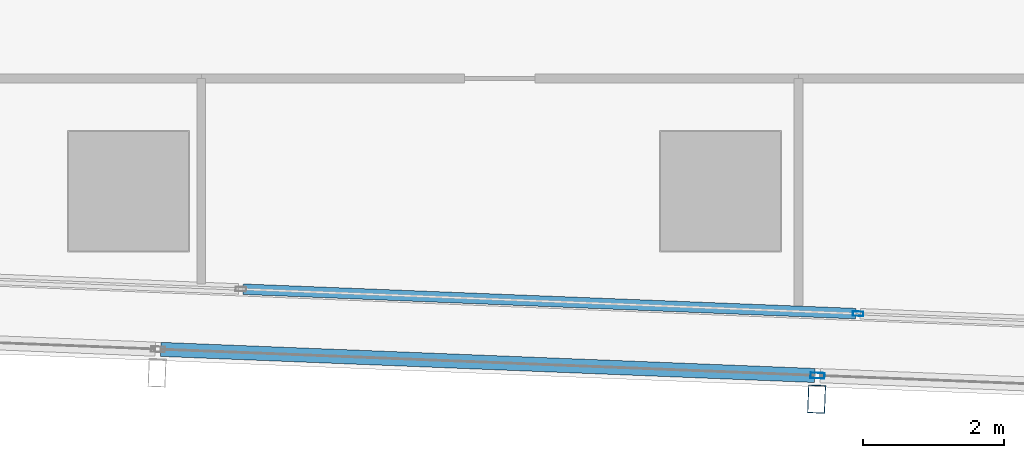
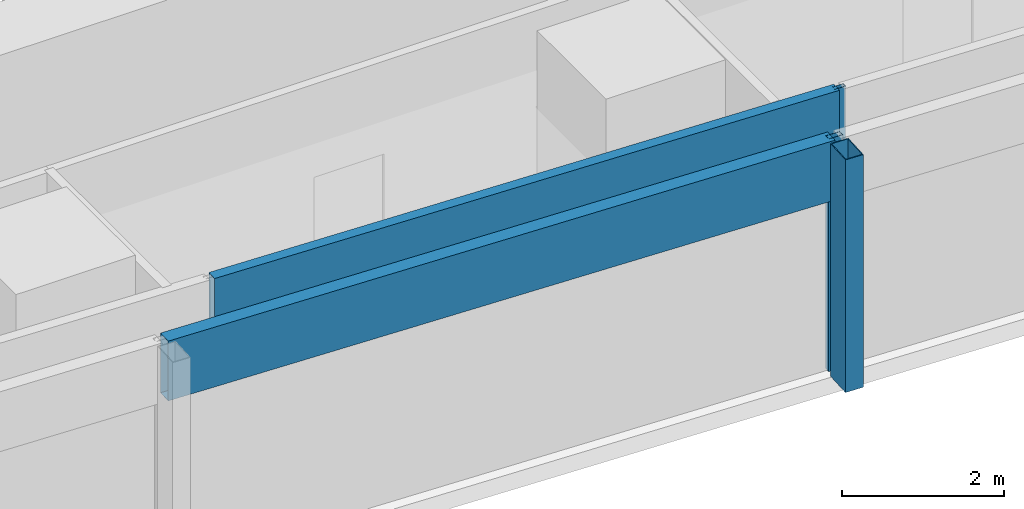
# One storey, part 7 of 39: 5 members, 2 elements without a shape of their own.
"""IFC4 building model written with IfcOpenShell, lengths in metres."""

from ifc_helpers import new_model, si_unit, direction, frame, origin, origin_2d, place, context, subcontext, project, spatial, hollow_rectangle, extrude, material, material_profile, profile_set, type_object, element, aggregate, save


model = new_model("IFC4")

# Units and contexts
model_context = context("Model", 3, precision=1e-05, world=origin(), true_north=direction((0.0, 1.0)))
body_context = subcontext(model_context, "Body", "Model", "MODEL_VIEW")
ifc_project = project(units=[si_unit("LENGTHUNIT", "METRE"), si_unit("AREAUNIT", "SQUARE_METRE"), si_unit("VOLUMEUNIT", "CUBIC_METRE"), si_unit("PLANEANGLEUNIT", "RADIAN"), si_unit("MASSUNIT", "GRAM", prefix="KILO")], contexts=[model_context])

# Site, building, storey
site_placement = place(None, origin())
site = spatial("IfcSite", under=ifc_project, at=site_placement, CompositionType="ELEMENT")
building_placement = place(site_placement, origin())
building = spatial("IfcBuilding", under=site, at=building_placement, Name="Rekha Terrace Tower", CompositionType="ELEMENT")
storey_placement = place(building_placement, frame((0.0, 0.0, 180.199951171875)))
storey = spatial("IfcBuildingStorey", under=building, at=storey_placement, Name="L45", CompositionType="ELEMENT", Elevation=180.199951171875)

# Curtain wall, member
ifc_material_1 = material(Name="Aluminium framing", Category="aluminium")
curtain_wall_type_1 = type_object("IfcCurtainWallType", Name="CW2 double skin outer glazing", PredefinedType="USERDEFINED", material=ifc_material_1)
curtain_wall_1_placement = place(storey_placement, origin())
curtain_wall_1 = element("IfcCurtainWall", 1, at=curtain_wall_1_placement, inside=storey, type_object=curtain_wall_type_1, Name="CW2 double skin outer glazing", ObjectType="DOUBLE SKIN OUTER GLAZING", PredefinedType="USERDEFINED")
ifc_material_2 = material(Name="Steel S355 with fluorocarbon finish", Category="steel")
ifc_material_profile_1 = material_profile(ifc_material_2, hollow_rectangle(XDim=0.25, YDim=0.39990234375, WallThickness=0.012451171875, at=origin_2d()), Name="RHS400x250x12.5")
ifc_profile_set_1 = profile_set([ifc_material_profile_1], Name="Steel S355 with fluorocarbon finish")
member_type_1 = type_object("IfcMemberType", Name="BL1 facade blade RHS 400 x 250", PredefinedType="USERDEFINED", material=ifc_profile_set_1)
member_1_placement = place(storey_placement, frame((34.9638671875, 13.84912109375, 0.0), z_axis=(0.0, 0.0, 1.0), x_axis=(0.999204797763, -0.039871946621, 0.0)))
member_1 = element("IfcMember", 2, at=member_1_placement, type_object=member_type_1, Name="Facade blade", ObjectType="FACADE BLADE", PredefinedType="USERDEFINED", context=body_context, shape_type="SweptSolid", body=[
    extrude(hollow_rectangle(XDim=0.25, YDim=0.39990234375, WallThickness=0.012451171875, at=origin_2d()), origin(), (0.0, 0.0, 1.0), 3.5),
])

# Curtain wall, members
curtain_wall_type_2 = type_object("IfcCurtainWallType", Name="CW1 double skin inner glazing", PredefinedType="USERDEFINED", material=ifc_material_1)
curtain_wall_2_placement = place(storey_placement, origin())
curtain_wall_2 = element("IfcCurtainWall", 3, at=curtain_wall_2_placement, inside=storey, type_object=curtain_wall_type_2, Name="CW1 double skin inner glazing", ObjectType="DOUBLE SKIN INNER GLAZING", PredefinedType="USERDEFINED")
ifc_material_3 = material(Name="Aluminium mullion section", Category="aluminium")
ifc_material_profile_2 = material_profile(ifc_material_3, hollow_rectangle(XDim=0.06494140625, YDim=0.14990234375, WallThickness=0.00390625, at=origin_2d()), Name="AL RHS 65x150")
ifc_profile_set_2 = profile_set([ifc_material_profile_2], Name="Aluminium mullion section")
member_type_2 = type_object("IfcMemberType", Name="CW1 mullion RHS 65 x 150", PredefinedType="MULLION", material=ifc_profile_set_2)
member_2_placement = place(storey_placement, frame((35.55224609375, 15.0615234375, 0.0), z_axis=(0.0, 0.0, 1.0), x_axis=(0.039872497044, 0.999204775799, 0.0)))
member_2 = element("IfcMember", 4, at=member_2_placement, type_object=member_type_2, Name="CW1 mullion 4", PredefinedType="MULLION", context=body_context, shape_type="SweptSolid", body=[
    extrude(hollow_rectangle(XDim=0.06494140625, YDim=0.14990234375, WallThickness=0.00390625, at=origin_2d()), origin(), (0.0, 0.0, 1.0), 3.5),
])
ifc_material_4 = material(Name="Insulated aluminium spandrel box", Category="aluminium")
ifc_material_profile_3 = material_profile(ifc_material_4, hollow_rectangle(XDim=0.14990234375, YDim=0.89990234375, WallThickness=0.0029296875, at=origin_2d()), Name="AL SPANDREL BOX 150x900")
ifc_profile_set_3 = profile_set([ifc_material_profile_3], Name="Insulated aluminium spandrel box")
member_type_3 = type_object("IfcMemberType", Name="CW1 spandrel transom 150 x 900", PredefinedType="USERDEFINED", material=ifc_profile_set_3)
member_3_placement = place(storey_placement, frame((26.8251953125, 15.40966796875, 3.050048828125), z_axis=(0.999204898015, -0.039869434198, 0.0), x_axis=(0.039869434198, 0.999204898015, 0.0)))
member_3 = element("IfcMember", 5, at=member_3_placement, type_object=member_type_3, Name="CW1 spandrel transom 3", ObjectType="TRANSOM", PredefinedType="USERDEFINED", context=body_context, shape_type="SweptSolid", body=[
    extrude(hollow_rectangle(XDim=0.14990234375, YDim=0.89990234375, WallThickness=0.0029296875, at=origin_2d()), origin(), (0.0, 0.0, 1.0), 8.701416015625),
])
aggregate(curtain_wall_2, [member_2, member_3])

# Member
ifc_material_profile_4 = material_profile(ifc_material_3, hollow_rectangle(XDim=0.080078125, YDim=0.199951171875, WallThickness=0.00390625, at=origin_2d()), Name="AL RHS 80x200")
ifc_profile_set_4 = profile_set([ifc_material_profile_4], Name="Aluminium mullion section")
member_type_4 = type_object("IfcMemberType", Name="CW2 mullion RHS 80 x 200", PredefinedType="MULLION", material=ifc_profile_set_4)
member_4_placement = place(storey_placement, frame((34.97705078125, 14.183837890625, 0.0), z_axis=(0.0, 0.0, 1.0), x_axis=(0.039872497044, 0.999204775799, 0.0)))
member_4 = element("IfcMember", 6, at=member_4_placement, type_object=member_type_4, Name="CW2 mullion 4", PredefinedType="MULLION", context=body_context, shape_type="SweptSolid", body=[
    extrude(hollow_rectangle(XDim=0.080078125, YDim=0.199951171875, WallThickness=0.00390625, at=origin_2d()), origin(), (0.0, 0.0, 1.0), 3.5),
])

ifc_material_profile_5 = material_profile(ifc_material_4, hollow_rectangle(XDim=0.199951171875, YDim=0.89990234375, WallThickness=0.0029296875, at=origin_2d()), Name="AL SPANDREL BOX 200x900")
ifc_profile_set_5 = profile_set([ifc_material_profile_5], Name="Insulated aluminium spandrel box")
member_type_5 = type_object("IfcMemberType", Name="CW2 spandrel transom 200 x 900", PredefinedType="USERDEFINED", material=ifc_profile_set_5)
member_5_placement = place(storey_placement, frame((25.658447265625, 14.5556640625, 3.050048828125), z_axis=(0.999204356934, -0.039882992408, 0.0), x_axis=(0.039882992408, 0.999204356934, 0.0)))
member_5 = element("IfcMember", 7, at=member_5_placement, type_object=member_type_5, Name="CW2 spandrel transom 3", ObjectType="TRANSOM", PredefinedType="USERDEFINED", context=body_context, shape_type="SweptSolid", body=[
    extrude(hollow_rectangle(XDim=0.199951171875, YDim=0.89990234375, WallThickness=0.0029296875, at=origin_2d()), origin(), (0.0, 0.0, 1.0), 9.2861328125),
])

aggregate(curtain_wall_1, [member_4, member_5, member_1])

save(model, "model.ifc")
